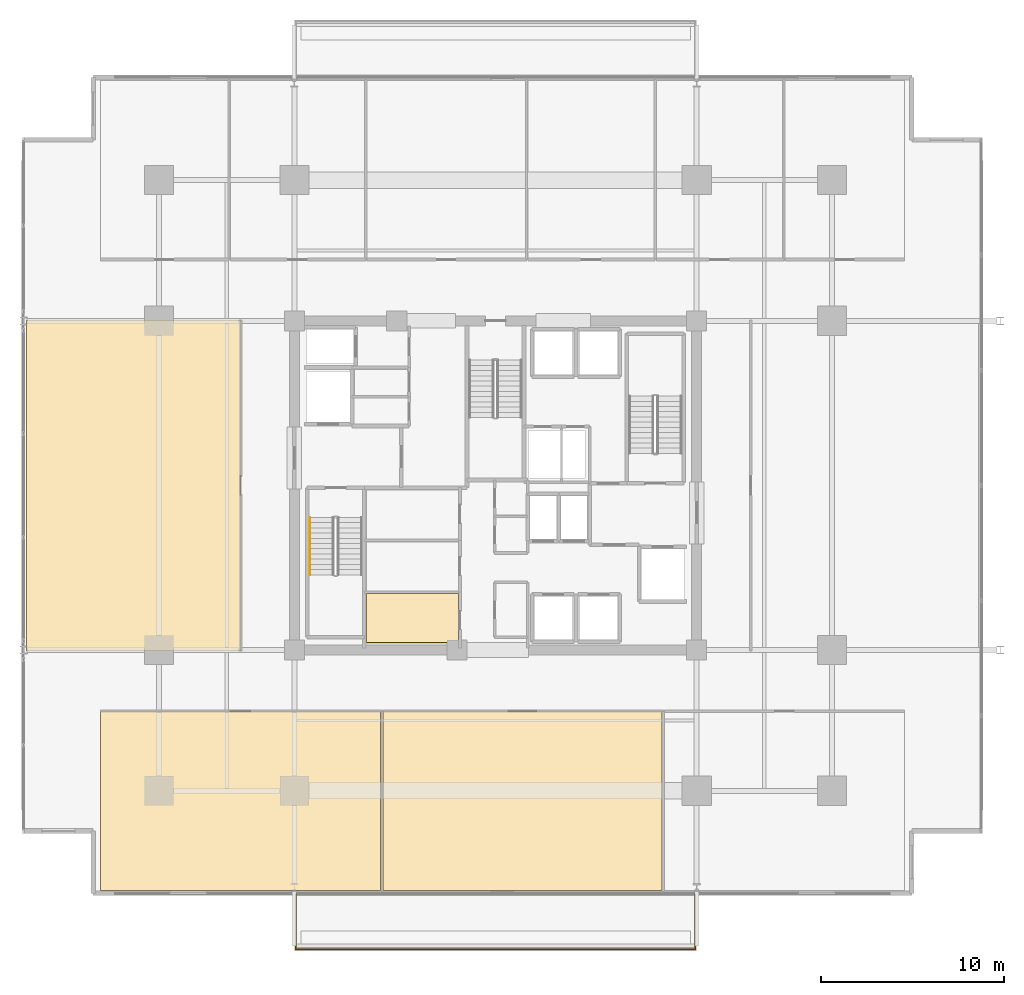
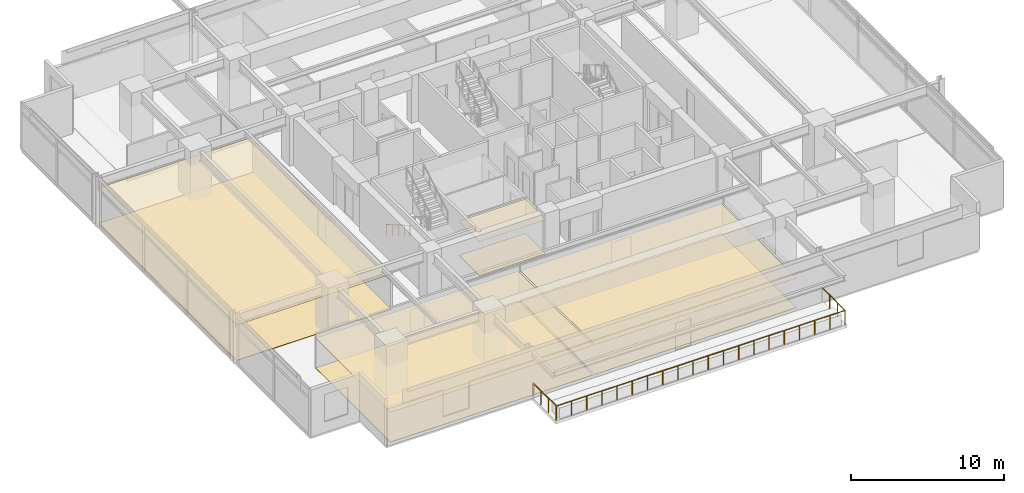
# One storey, part 19 of 23: 8 coverings, 2 railings.
"""IFC4 building model written with IfcOpenShell, lengths in metres."""

from ifc_helpers import new_model, si_unit, direction, frame, origin, origin_2d, place, context, subcontext, project, spatial, polyline, circle, outline, extrude, material, layer, layer_set, type_object, element, save


model = new_model("IFC4")

# Units and contexts
model_context = context("Model", 3, precision=1e-05, world=origin(), true_north=direction((0.0, 1.0)))
body_context = subcontext(model_context, "Body", "Model", "MODEL_VIEW")
ifc_project = project(units=[si_unit("LENGTHUNIT", "METRE"), si_unit("AREAUNIT", "SQUARE_METRE"), si_unit("VOLUMEUNIT", "CUBIC_METRE"), si_unit("PLANEANGLEUNIT", "RADIAN"), si_unit("MASSUNIT", "GRAM", prefix="KILO")], contexts=[model_context])

# Site, building, storey
site_placement = place(None, origin())
site = spatial("IfcSite", under=ifc_project, at=site_placement, CompositionType="ELEMENT")
building_placement = place(site_placement, origin())
building = spatial("IfcBuilding", under=site, at=building_placement, Name="Kovane Verandah Tower", CompositionType="ELEMENT")
storey_placement = place(building_placement, frame((0.0, 0.0, 148.39990234375)))
storey = spatial("IfcBuildingStorey", under=building, at=storey_placement, Name="L34", CompositionType="ELEMENT", Elevation=148.39990234375)

# Coverings
ifc_material_1 = material(Name="Perforated Acoustic Mineral-Fibre Ceiling Tile", Category="gypsum")
ifc_layer_1 = layer(ifc_material_1, 0.02490234375)
ifc_layer_set_1 = layer_set([ifc_layer_1], Name="Perforated Acoustic Mineral-Fibre Ceiling Tile")
covering_type_1 = type_object("IfcCoveringType", Name="CV-CEIL-25", PredefinedType="CEILING", material=ifc_layer_set_1)
covering_1_placement = place(storey_placement, frame((0.0, 0.0, 2.72998046875)))
element("IfcCovering", 1, at=covering_1_placement, inside=storey, type_object=covering_type_1, Name="L34 Project Archive Room Acoustic Ceiling", PredefinedType="CEILING", context=body_context, shape_type="SweptSolid", body=[
    extrude(outline(polyline([(32.93505859375, 18.885009765625), (37.9951171875, 18.885009765625), (37.9951171875, 21.594970703125), (32.93505859375, 21.594970703125), (32.93505859375, 18.885009765625)])), origin(), (0.0, 0.0, 1.0), 0.025146484375),
])
covering_2_placement = place(storey_placement, frame((0.0, 0.0, 2.380126953125)))
element("IfcCovering", 2, at=covering_2_placement, inside=storey, type_object=covering_type_1, Name="L34 Executive Office S1 Acoustic Ceiling", PredefinedType="CEILING", context=body_context, shape_type="SweptSolid", body=[
    extrude(outline(polyline([(18.394775390625, 5.346435546875), (33.7138671875, 5.346435546875), (33.7138671875, 15.14990234375), (18.394775390625, 15.14990234375), (18.394775390625, 5.346435546875)])), origin(), (0.0, 0.0, 1.0), 0.02490234375),
])
covering_3_placement = place(storey_placement, frame((0.0, 0.0, 2.380126953125)))
element("IfcCovering", 3, at=covering_3_placement, inside=storey, type_object=covering_type_1, Name="L34 Client Boardroom S2 Acoustic Ceiling", PredefinedType="CEILING", context=body_context, shape_type="SweptSolid", body=[
    extrude(outline(polyline([(33.853759765625, 5.346435546875), (49.102783203125, 5.346435546875), (49.102783203125, 15.14990234375), (33.853759765625, 15.14990234375), (33.853759765625, 5.346435546875)])), origin(), (0.0, 0.0, 1.0), 0.02490234375),
])
covering_4_placement = place(storey_placement, frame((0.0, 0.0, 2.8251953125)))
element("IfcCovering", 4, at=covering_4_placement, inside=storey, type_object=covering_type_1, Name="L34 Focus Studio W1 Acoustic Ceiling", PredefinedType="CEILING", context=body_context, shape_type="SweptSolid", body=[
    extrude(outline(polyline([(14.3447265625, 18.449951171875), (26.050048828125, 18.449951171875), (26.050048828125, 36.550048828125), (14.3447265625, 36.550048828125), (14.3447265625, 18.449951171875)])), origin(), (0.0, 0.0, 1.0), 0.02490234375),
])
ifc_material_2 = material(Name="Polished Terrazzo and Raised-Access Carpet Tile Finish", Category="concrete")
ifc_layer_2 = layer(ifc_material_2, 0.030029296875)
ifc_layer_set_2 = layer_set([ifc_layer_2], Name="Polished Terrazzo and Raised-Access Carpet Tile Finish")
covering_type_2 = type_object("IfcCoveringType", Name="CV-FLOR-30", PredefinedType="FLOORING", material=ifc_layer_set_2)
covering_5_placement = place(storey_placement, origin())
element("IfcCovering", 5, at=covering_5_placement, inside=storey, type_object=covering_type_2, Name="L34 Project Archive Room Floor Finish", PredefinedType="FLOORING", context=body_context, shape_type="SweptSolid", body=[
    extrude(outline(polyline([(32.949951171875, 18.89990234375), (37.97998046875, 18.89990234375), (37.97998046875, 21.580078125), (32.949951171875, 21.580078125), (32.949951171875, 18.89990234375)])), origin(), (0.0, 0.0, 1.0), 0.030029296875),
])
covering_6_placement = place(storey_placement, origin())
element("IfcCovering", 6, at=covering_6_placement, inside=storey, type_object=covering_type_2, Name="L34 Executive Office S1 Floor Finish", PredefinedType="FLOORING", context=body_context, shape_type="SweptSolid", body=[
    extrude(outline(polyline([(18.394775390625, 5.346435546875), (33.7138671875, 5.346435546875), (33.7138671875, 15.14990234375), (18.394775390625, 15.14990234375), (18.394775390625, 5.346435546875)])), origin(), (0.0, 0.0, 1.0), 0.030029296875),
])
covering_7_placement = place(storey_placement, origin())
element("IfcCovering", 7, at=covering_7_placement, inside=storey, type_object=covering_type_2, Name="L34 Client Boardroom S2 Floor Finish", PredefinedType="FLOORING", context=body_context, shape_type="SweptSolid", body=[
    extrude(outline(polyline([(33.853759765625, 5.346435546875), (49.102783203125, 5.346435546875), (49.102783203125, 15.14990234375), (33.853759765625, 15.14990234375), (33.853759765625, 5.346435546875)])), origin(), (0.0, 0.0, 1.0), 0.030029296875),
])
covering_8_placement = place(storey_placement, origin())
element("IfcCovering", 8, at=covering_8_placement, inside=storey, type_object=covering_type_2, Name="L34 Focus Studio W1 Floor Finish", PredefinedType="FLOORING", context=body_context, shape_type="SweptSolid", body=[
    extrude(outline(polyline([(14.3447265625, 18.449951171875), (26.050048828125, 18.449951171875), (26.050048828125, 36.550048828125), (14.3447265625, 36.550048828125), (14.3447265625, 18.449951171875)])), origin(), (0.0, 0.0, 1.0), 0.030029296875),
])

# Railings
ifc_material_3 = material(Name="Laminated Glass and Pale-Champagne Stainless Balustrade", Category="glass")
railing_type_1 = type_object("IfcRailingType", Name="RL-BAL-1150", PredefinedType="BALUSTRADE", material=ifc_material_3)
railing_1_placement = place(storey_placement, frame((29.080078125, 5.146484375, 0.0)))
element("IfcRailing", 9, at=railing_1_placement, inside=storey, type_object=railing_type_1, Name="L34 S Verandah Glass Balustrade", PredefinedType="BALUSTRADE", context=body_context, shape_type="SweptSolid", body=[
    extrude(circle(Radius=0.02392578125, at=origin_2d()), frame((0.0, 0.0, 1.1259765625), z_axis=(0.0, -1.0, 0.0), x_axis=(1.0, 0.0, 0.0)), (0.0, 0.0, 1.0), 3.02001953125),
    extrude(circle(Radius=0.02392578125, at=origin_2d()), frame((0.0, -3.02001953125, 1.1259765625), z_axis=(1.0, 0.0, 0.0), x_axis=(0.0, 1.0, 0.0)), (0.0, 0.0, 1.0), 21.83984375),
    extrude(circle(Radius=0.02392578125, at=origin_2d()), frame((21.83984375, -3.02001953125, 1.1259765625), z_axis=(0.0, 1.0, 0.0), x_axis=(-1.0, 0.0, 0.0)), (0.0, 0.0, 1.0), 3.02001953125),
    extrude(circle(Radius=0.02099609375, at=origin_2d()), origin(), (0.0, 0.0, 1.0), 1.101806640625),
    extrude(circle(Radius=0.02099609375, at=origin_2d()), frame((0.0, -1.006591796875, 0.0)), (0.0, 0.0, 1.0), 1.101806640625),
    extrude(circle(Radius=0.02099609375, at=origin_2d()), frame((0.0, -2.013427734375, 0.0)), (0.0, 0.0, 1.0), 1.101806640625),
    extrude(circle(Radius=0.02099609375, at=origin_2d()), frame((0.0, -3.02001953125, 0.0)), (0.0, 0.0, 1.0), 1.101806640625),
    extrude(circle(Radius=0.02099609375, at=origin_2d()), frame((1.1494140625, -3.02001953125, 0.0)), (0.0, 0.0, 1.0), 1.101806640625),
    extrude(circle(Radius=0.02099609375, at=origin_2d()), frame((2.298828125, -3.02001953125, 0.0)), (0.0, 0.0, 1.0), 1.101806640625),
    extrude(circle(Radius=0.02099609375, at=origin_2d()), frame((3.448486328125, -3.02001953125, 0.0)), (0.0, 0.0, 1.0), 1.101806640625),
    extrude(circle(Radius=0.02099609375, at=origin_2d()), frame((4.597900390625, -3.02001953125, 0.0)), (0.0, 0.0, 1.0), 1.101806640625),
    extrude(circle(Radius=0.02099609375, at=origin_2d()), frame((5.747314453125, -3.02001953125, 0.0)), (0.0, 0.0, 1.0), 1.101806640625),
    extrude(circle(Radius=0.02099609375, at=origin_2d()), frame((6.896728515625, -3.02001953125, 0.0)), (0.0, 0.0, 1.0), 1.101806640625),
    extrude(circle(Radius=0.02099609375, at=origin_2d()), frame((8.046142578125, -3.02001953125, 0.0)), (0.0, 0.0, 1.0), 1.101806640625),
    extrude(circle(Radius=0.02099609375, at=origin_2d()), frame((9.19580078125, -3.02001953125, 0.0)), (0.0, 0.0, 1.0), 1.101806640625),
    extrude(circle(Radius=0.02099609375, at=origin_2d()), frame((10.34521484375, -3.02001953125, 0.0)), (0.0, 0.0, 1.0), 1.101806640625),
    extrude(circle(Radius=0.02099609375, at=origin_2d()), frame((11.49462890625, -3.02001953125, 0.0)), (0.0, 0.0, 1.0), 1.101806640625),
    extrude(circle(Radius=0.02099609375, at=origin_2d()), frame((12.64404296875, -3.02001953125, 0.0)), (0.0, 0.0, 1.0), 1.101806640625),
    extrude(circle(Radius=0.02099609375, at=origin_2d()), frame((13.793701171875, -3.02001953125, 0.0)), (0.0, 0.0, 1.0), 1.101806640625),
    extrude(circle(Radius=0.02099609375, at=origin_2d()), frame((14.943115234375, -3.02001953125, 0.0)), (0.0, 0.0, 1.0), 1.101806640625),
    extrude(circle(Radius=0.02099609375, at=origin_2d()), frame((16.092529296875, -3.02001953125, 0.0)), (0.0, 0.0, 1.0), 1.101806640625),
    extrude(circle(Radius=0.02099609375, at=origin_2d()), frame((17.241943359375, -3.02001953125, 0.0)), (0.0, 0.0, 1.0), 1.101806640625),
    extrude(circle(Radius=0.02099609375, at=origin_2d()), frame((18.391357421875, -3.02001953125, 0.0)), (0.0, 0.0, 1.0), 1.101806640625),
    extrude(circle(Radius=0.02099609375, at=origin_2d()), frame((19.541015625, -3.02001953125, 0.0)), (0.0, 0.0, 1.0), 1.101806640625),
    extrude(circle(Radius=0.02099609375, at=origin_2d()), frame((20.6904296875, -3.02001953125, 0.0)), (0.0, 0.0, 1.0), 1.101806640625),
    extrude(circle(Radius=0.02099609375, at=origin_2d()), frame((21.83984375, -3.02001953125, 0.0)), (0.0, 0.0, 1.0), 1.101806640625),
    extrude(circle(Radius=0.02099609375, at=origin_2d()), frame((21.83984375, -2.013427734375, 0.0)), (0.0, 0.0, 1.0), 1.101806640625),
    extrude(circle(Radius=0.02099609375, at=origin_2d()), frame((21.83984375, -1.006591796875, 0.0)), (0.0, 0.0, 1.0), 1.101806640625),
    extrude(circle(Radius=0.02099609375, at=origin_2d()), frame((21.83984375, 0.0, 0.0)), (0.0, 0.0, 1.0), 1.101806640625),
])
ifc_material_4 = material(Name="Brushed Stainless Steel Handrail", Category="steel")
railing_type_2 = type_object("IfcRailingType", Name="RL-HAND-920", PredefinedType="HANDRAIL", material=ifc_material_4)
railing_2_placement = place(storey_placement, frame((29.85009765625, 25.75, 0.166748046875)))
element("IfcRailing", 10, at=railing_2_placement, inside=storey, type_object=railing_type_2, Name="L34 ST-01 stair handrail 1", PredefinedType="HANDRAIL", context=body_context, shape_type="SweptSolid", body=[
    extrude(circle(Radius=0.02392578125, at=origin_2d()), frame((0.0, 0.0, 0.8759765625), z_axis=(0.0, -0.863239559939, 0.504794475164), x_axis=(1.0, 0.0, 0.0)), (0.0, 0.0, 1.0), 3.631591796875),
    extrude(circle(Radius=0.02099609375, at=origin_2d()), origin(), (0.0, 0.0, 1.0), 0.851806640625),
    extrude(circle(Radius=0.02099609375, at=origin_2d()), frame((0.0, -0.78369140625, 0.458251953125)), (0.0, 0.0, 1.0), 0.851806640625),
    extrude(circle(Radius=0.02099609375, at=origin_2d()), frame((0.0, -1.5673828125, 0.91650390625)), (0.0, 0.0, 1.0), 0.851806640625),
    extrude(circle(Radius=0.02099609375, at=origin_2d()), frame((0.0, -2.351318359375, 1.375)), (0.0, 0.0, 1.0), 0.851806640625),
    extrude(circle(Radius=0.02099609375, at=origin_2d()), frame((0.0, -3.135009765625, 1.833251953125)), (0.0, 0.0, 1.0), 0.851806640625),
])

save(model, "model.ifc")
